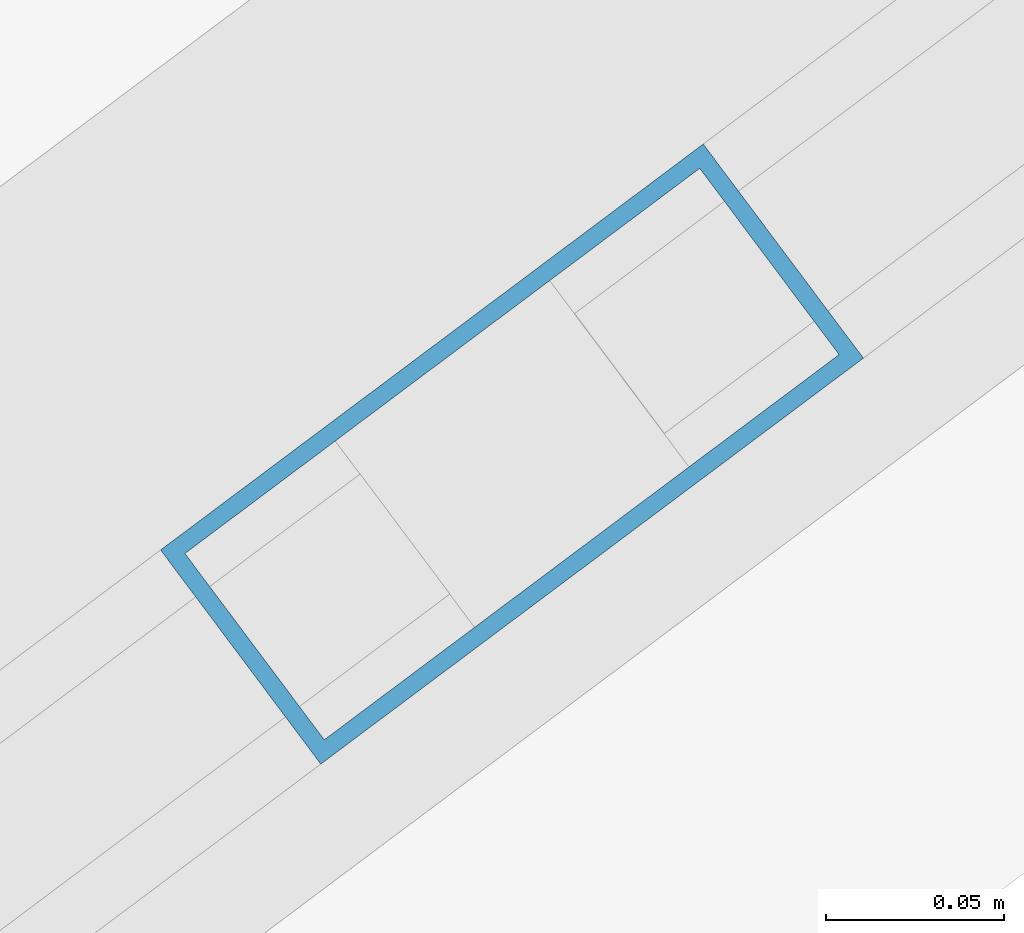
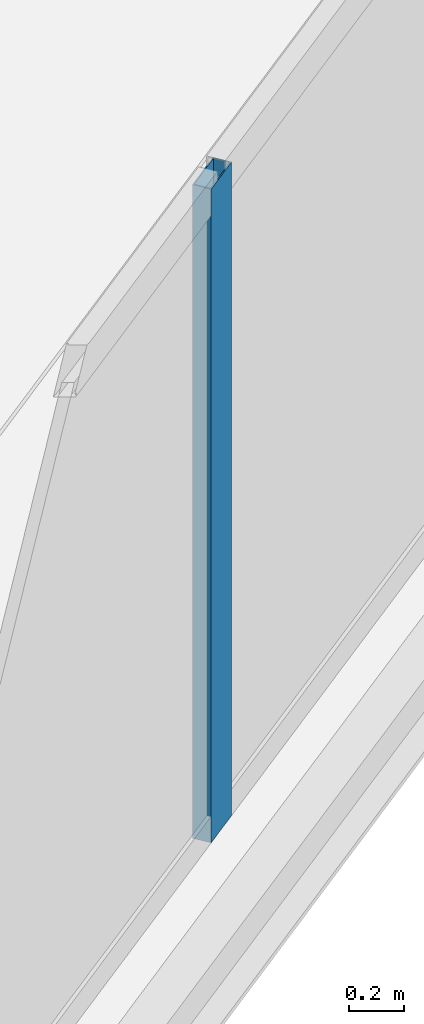
# One storey, part 6 of 32: 1 member, 1 element without a shape of its own.
"""IFC4 building model written with IfcOpenShell, lengths in metres."""

from ifc_helpers import new_model, si_unit, direction, frame, origin, origin_2d, place, context, subcontext, project, spatial, hollow_rectangle, extrude, material, material_profile, profile_set, type_object, element, aggregate, save


model = new_model("IFC4")

# Units and contexts
model_context = context("Model", 3, precision=1e-05, world=origin(), true_north=direction((0.0, 1.0)))
body_context = subcontext(model_context, "Body", "Model", "MODEL_VIEW")
ifc_project = project(units=[si_unit("LENGTHUNIT", "METRE"), si_unit("AREAUNIT", "SQUARE_METRE"), si_unit("VOLUMEUNIT", "CUBIC_METRE"), si_unit("PLANEANGLEUNIT", "RADIAN"), si_unit("MASSUNIT", "GRAM", prefix="KILO")], contexts=[model_context])

# Site, building, storey
site_placement = place(None, origin())
site = spatial("IfcSite", under=ifc_project, at=site_placement, CompositionType="ELEMENT")
building_placement = place(site_placement, origin())
building = spatial("IfcBuilding", under=site, at=building_placement, Name="Haldenkirk Collegiate Tower", CompositionType="ELEMENT")
storey_placement = place(building_placement, frame((0.0, 0.0, 151.949951171875)))
storey = spatial("IfcBuildingStorey", under=building, at=storey_placement, Name="L37", CompositionType="ELEMENT", Elevation=151.949951171875)

# Curtain wall, member
ifc_material = material(Name="Anodised architectural bronze aluminium", Category="aluminium")
curtain_wall_type = type_object("IfcCurtainWallType", Name="CW-SYS2-CONCAVE", PredefinedType="USERDEFINED", material=ifc_material)
curtain_wall_placement = place(storey_placement, origin())
curtain_wall = element("IfcCurtainWall", 1, at=curtain_wall_placement, inside=storey, type_object=curtain_wall_type, Name="L37 South concave recessed bronze-anodised curtain wall", ObjectType="UNITISED CURTAIN WALL", PredefinedType="USERDEFINED")
ifc_material_profile = material_profile(ifc_material, hollow_rectangle(XDim=0.074951171875, YDim=0.18994140625, WallThickness=0.0048828125, at=origin_2d()), Name="CW-MUL-02")
ifc_profile_set = profile_set([ifc_material_profile], Name="Anodised architectural bronze aluminium")
member_type = type_object("IfcMemberType", Name="CW-MUL-02", PredefinedType="MULLION", material=ifc_profile_set)
member_placement = place(storey_placement, frame((42.141357421875, 0.846435546875, 0.0), z_axis=(0.0, 0.0, 1.0), x_axis=(0.599025366751, -0.800730048136, 0.0)))
member = element("IfcMember", 2, at=member_placement, type_object=member_type, Name="CW-02 mullion 4", PredefinedType="MULLION", context=body_context, shape_type="SweptSolid", body=[
    extrude(hollow_rectangle(XDim=0.074951171875, YDim=0.18994140625, WallThickness=0.0048828125, at=origin_2d()), origin(), (0.0, 0.0, 1.0), 2.9111328125),
])
aggregate(curtain_wall, [member])

save(model, "model.ifc")
